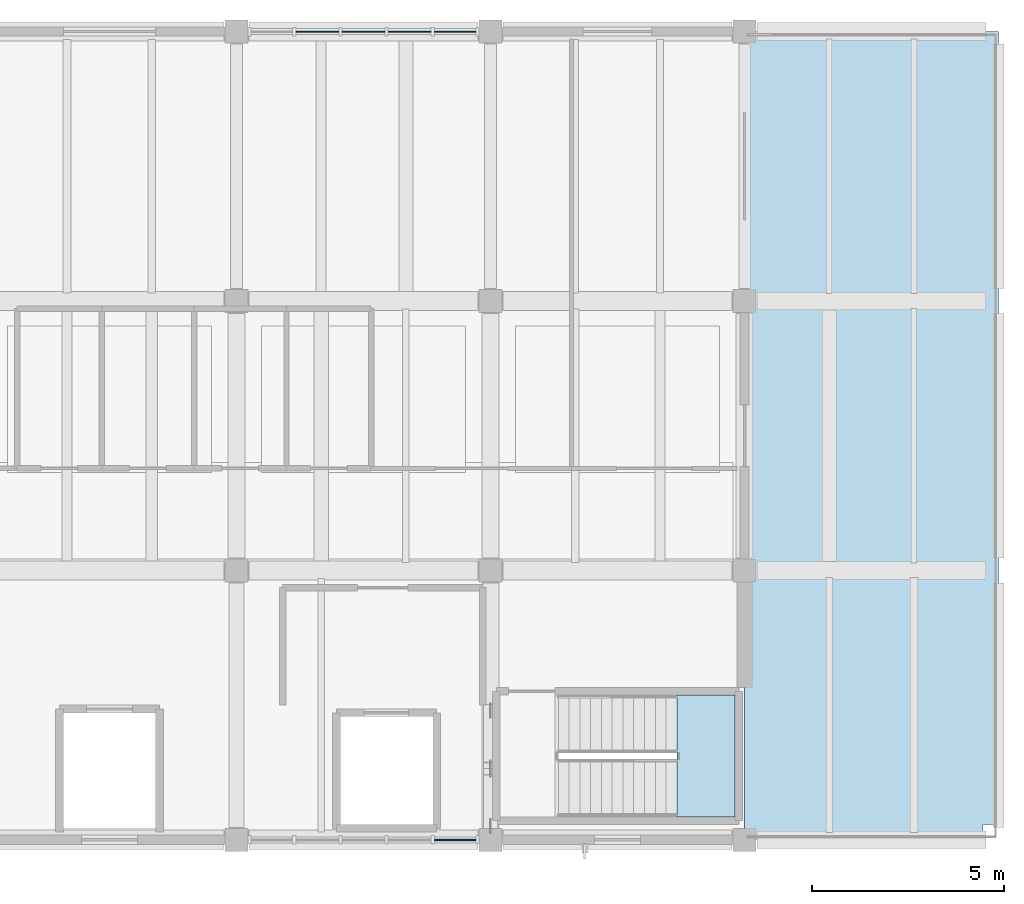
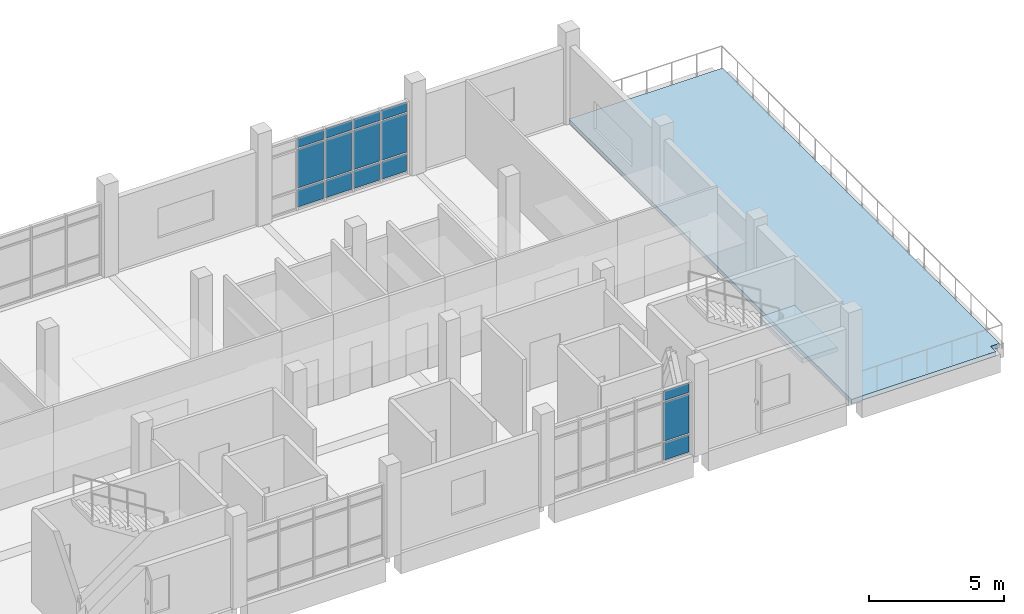
# One storey, part 7 of 14: 15 plates, 2 slabs, 3 elements without a shape of their own.
"""IFC4 building model written with IfcOpenShell, lengths in metres."""

import ifcopenshell
import ifcopenshell.guid

model = None  # the IFC model being written
_history = None  # IfcOwnerHistory: only IFC2X3 demands one
_inside = {}  # id of a spatial element -> (the spatial element, [elements in it])
_under = {}  # id of a project, library or spatial element -> (it, [spatial elements below it])
_declared = {}  # id of a project -> (the project, [libraries it declares])
_typed = {}  # id of a type object -> (the type object, [elements of that type])
_made_of = {}  # id of a material, layer set ... -> (it, [elements and type objects made of it])


def new_model(schema):
    """Start an empty IFC model of exactly this schema.

    Asked for "IFC4X3", IfcOpenShell would pick the latest addendum, in which some entities
    have other attributes; the version numbers below select the first issue.
    IFC2X3 requires an IfcOwnerHistory on every rooted entity: one is made here for all.
    """
    global model, _history
    if schema == "IFC4X3":
        model = ifcopenshell.file(schema_version=(4, 3, 0, 0))
    else:
        model = ifcopenshell.file(schema=schema)
    _inside.clear()
    _under.clear()
    _declared.clear()
    _typed.clear()
    _made_of.clear()
    _history = None
    if model.schema == "IFC2X3":
        org = make("IfcOrganization", Name="unknown")
        user = make(
            "IfcPersonAndOrganization",
            ThePerson=make("IfcPerson", FamilyName="unknown"),
            TheOrganization=org,
        )
        app = make(
            "IfcApplication",
            ApplicationDeveloper=org,
            Version="unknown",
            ApplicationFullName="unknown",
            ApplicationIdentifier="unknown",
        )
        _history = make(
            "IfcOwnerHistory",
            OwningUser=user,
            OwningApplication=app,
            ChangeAction="ADDED",
            CreationDate=0,
        )
    return model


def make(cls, **values):
    """One entity of the class cls with the attributes given. An attribute that is None is left unset."""
    return model.create_entity(
        cls, **{name: value for name, value in values.items() if value is not None}
    )


def rooted(cls, **values):
    """An entity with a GlobalId (a new one), such as an element, a storey or a relation."""
    return make(cls, GlobalId=ifcopenshell.guid.new(), OwnerHistory=_history, **values)


def si_unit(unit_type, name, prefix=None):
    """IfcSIUnit, for example si_unit("LENGTHUNIT", "METRE", prefix="MILLI")."""
    return make("IfcSIUnit", UnitType=unit_type, Prefix=prefix, Name=name)


def assignment(units):
    """IfcUnitAssignment: the units of a project."""
    return None if units is None else make("IfcUnitAssignment", Units=units)


def point(xyz):
    """IfcCartesianPoint."""
    return None if xyz is None else make("IfcCartesianPoint", Coordinates=xyz)


def direction(xyz):
    """IfcDirection."""
    return None if xyz is None else make("IfcDirection", DirectionRatios=xyz)


def frame(location, z_axis=None, x_axis=None):
    """IfcAxis2Placement3D, a coordinate frame: its origin and axes. An axis left out is left unset."""
    return make(
        "IfcAxis2Placement3D",
        Location=point(location),
        Axis=direction(z_axis),
        RefDirection=direction(x_axis),
    )


def frame_2d(location, x_axis=None):
    """IfcAxis2Placement2D, a coordinate frame in the plane: its origin and x axis."""
    return make(
        "IfcAxis2Placement2D", Location=point(location), RefDirection=direction(x_axis)
    )


def origin():
    """The frame at (0, 0, 0) with its axes left unset."""
    return frame((0.0, 0.0, 0.0))


def origin_2d():
    """The frame at (0, 0) in the plane with its x axis left unset."""
    return frame_2d((0.0, 0.0))


def place(relative_to, where):
    """IfcLocalPlacement: puts the frame where relative to a parent placement (None: the world)."""
    return make(
        "IfcLocalPlacement", PlacementRelTo=relative_to, RelativePlacement=where
    )


def context(
    kind, dimensions, precision=None, world=None, true_north=None, identifier=None
):
    """IfcGeometricRepresentationContext, for example the 3D "Model" context."""
    return make(
        "IfcGeometricRepresentationContext",
        ContextIdentifier=identifier,
        ContextType=kind,
        CoordinateSpaceDimension=dimensions,
        Precision=precision,
        WorldCoordinateSystem=world,
        TrueNorth=true_north,
    )


def subcontext(parent, identifier, kind, view, scale=None):
    """IfcGeometricRepresentationSubContext, for example "Body" below "Model"."""
    return make(
        "IfcGeometricRepresentationSubContext",
        ContextIdentifier=identifier,
        ContextType=kind,
        ParentContext=parent,
        TargetScale=scale,
        TargetView=view,
    )


def project(units=None, contexts=None):
    """IfcProject with its units and contexts."""
    return rooted(
        "IfcProject",
        Name="project",
        RepresentationContexts=contexts,
        UnitsInContext=assignment(units),
    )


def spatial(cls, under=None, at=None, **own):
    """A site, building, storey or space (cls), placed at a placement, below another one or the project."""
    s = rooted(cls, ObjectPlacement=at, **own)
    if under is not None:
        _under.setdefault(under.id(), (under, []))[1].append(s)
    return s


def polyline(points):
    """IfcPolyline through the points."""
    return make("IfcPolyline", Points=[point(p) for p in points])


def profile(cls, at=None, kind="AREA", **sizes):
    """A parametric profile (cls). Its sizes go by their IFC names, for example OverallWidth=200.0."""
    return make(cls, ProfileType=kind, Position=at, **sizes)


def rectangle(**sizes):
    """IfcRectangleProfileDef."""
    return profile("IfcRectangleProfileDef", **sizes)


def outline(outer, holes=None, kind="AREA"):
    """IfcArbitraryClosedProfileDef: a profile drawn as a closed curve; with holes, ...WithVoids."""
    if holes is None:
        return make("IfcArbitraryClosedProfileDef", ProfileType=kind, OuterCurve=outer)
    return make(
        "IfcArbitraryProfileDefWithVoids",
        ProfileType=kind,
        OuterCurve=outer,
        InnerCurves=holes,
    )


def extrude(swept, where, along, depth):
    """IfcExtrudedAreaSolid: the profile swept, set in the frame where, extruded along a direction by depth."""
    return make(
        "IfcExtrudedAreaSolid",
        SweptArea=swept,
        Position=where,
        ExtrudedDirection=direction(along),
        Depth=depth,
    )


def shape(context_of_items, identifier, shape_type, items):
    """IfcShapeRepresentation: the items that make up one representation, for example the "Body"."""
    return make(
        "IfcShapeRepresentation",
        ContextOfItems=context_of_items,
        RepresentationIdentifier=identifier,
        RepresentationType=shape_type,
        Items=items,
    )


def material(Name=None, Category=None):
    """IfcMaterial."""
    return make("IfcMaterial", Name=Name, Category=Category)


def layer(
    of_material, thickness, ventilated=None, Name=None, Category=None, Priority=None
):
    """IfcMaterialLayer: one layer of a wall or slab, of a material (None: an air gap)."""
    return make(
        "IfcMaterialLayer",
        Material=of_material,
        LayerThickness=thickness,
        IsVentilated=ventilated,
        Name=Name,
        Category=Category,
        Priority=Priority,
    )


def layer_set(layers, Name=None):
    """IfcMaterialLayerSet."""
    return make("IfcMaterialLayerSet", MaterialLayers=layers, LayerSetName=Name)


def made_of(thing, what):
    """Note that an element or type object is made of a material, layer set ...; save() writes the relation."""
    if what is not None:
        _made_of.setdefault(what.id(), (what, []))[1].append(thing)
    return thing


def type_object(cls, material=None, **own):
    """A type object (cls), such as IfcWallType, which elements share."""
    return made_of(rooted(cls, **own), material)


def element(
    cls,
    number,
    at=None,
    inside=None,
    cuts=None,
    type_object=None,
    material=None,
    context=None,
    identifier="Body",
    shape_type=None,
    held_by="IfcProductDefinitionShape",
    body=None,
    shapes=None,
    **own,
):
    """One element of the class cls, such as IfcWall. Its Tag is "e" and its number.

    at: its placement. inside: the storey or other place that contains it. cuts: it is an
    opening in that element (IfcRelVoidsElement). A single representation is given by context,
    identifier, shape_type and body (its items); several are given by shapes. held_by: the class
    of the entity that holds the representations. save() writes the other relations.
    """
    e = rooted(cls, Tag="e%d" % number, ObjectPlacement=at, **own)
    if body is not None:
        shapes = [shape(context, identifier, shape_type, body)]
    if shapes is not None:
        e.Representation = make(held_by, Representations=shapes)
    if inside is not None:
        _inside.setdefault(inside.id(), (inside, []))[1].append(e)
    if cuts is not None:
        rooted(
            "IfcRelVoidsElement", RelatingBuildingElement=cuts, RelatedOpeningElement=e
        )
    if type_object is not None:
        _typed.setdefault(type_object.id(), (type_object, []))[1].append(e)
    return made_of(e, material)


def aggregate(whole, parts):
    """IfcRelAggregates: a whole, such as a stair, and the parts it consists of."""
    return rooted("IfcRelAggregates", RelatingObject=whole, RelatedObjects=parts)


def save(model, path):
    """Write the relations noted so far, then the file.

    IfcRelAggregates (storeys below a building ...), IfcRelContainedInSpatialStructure (elements
    in a storey), IfcRelDefinesByType, IfcRelAssociatesMaterial and IfcRelDeclares: one each for
    every whole, place, type object, material and project.
    """
    for whole, parts in _under.values():
        aggregate(whole, parts)
    for where, things in _inside.values():
        rooted(
            "IfcRelContainedInSpatialStructure",
            RelatedElements=things,
            RelatingStructure=where,
        )
    for kind, things in _typed.values():
        rooted("IfcRelDefinesByType", RelatedObjects=things, RelatingType=kind)
    for what, things in _made_of.values():
        rooted("IfcRelAssociatesMaterial", RelatedObjects=things, RelatingMaterial=what)
    for by, libraries in _declared.values():
        rooted("IfcRelDeclares", RelatingContext=by, RelatedDefinitions=libraries)
    model.write(path)


model = new_model("IFC4")

# Units and contexts
model_context = context("Model", 3, precision=1e-05, world=origin(), true_north=direction((0.0, 1.0)))
body_context = subcontext(model_context, "Body", "Model", "MODEL_VIEW")
ifc_project = project(units=[si_unit("LENGTHUNIT", "METRE"), si_unit("AREAUNIT", "SQUARE_METRE"), si_unit("VOLUMEUNIT", "CUBIC_METRE"), si_unit("PLANEANGLEUNIT", "RADIAN"), si_unit("MASSUNIT", "GRAM", prefix="KILO")], contexts=[model_context])

# Site, building, storey
site_placement = place(None, origin())
site = spatial("IfcSite", under=ifc_project, at=site_placement, CompositionType="ELEMENT")
building_placement = place(site_placement, origin())
building = spatial("IfcBuilding", under=site, at=building_placement, Name="Ciguamira Faculty of Natural Sciences", CompositionType="ELEMENT")
storey_placement = place(building_placement, frame((0.0, 0.0, 29.39990234375)))
storey = spatial("IfcBuildingStorey", under=building, at=storey_placement, Name="L07", CompositionType="ELEMENT", Elevation=29.39990234375)

# Curtain wall, plates
ifc_material_1 = material(Name="Anodized aluminium curtain wall", Category="aluminium")
curtain_wall_type_1 = type_object("IfcCurtainWallType", Name="CurtainWall_CW-09", PredefinedType="USERDEFINED", material=ifc_material_1)
curtain_wall_1_placement = place(storey_placement, origin())
curtain_wall_1 = element("IfcCurtainWall", 1, at=curtain_wall_1_placement, inside=storey, type_object=curtain_wall_type_1, Name="L07 unitised curtain wall 0153", ObjectType="UNITISED CURTAIN WALL", PredefinedType="USERDEFINED")
ifc_material_2 = material(Name="Low-E laminated solar glass", Category="glass")
ifc_layer_1 = layer(ifc_material_2, 0.028076171875, Name="Low-E laminated solar glass")
ifc_layer_set_1 = layer_set([ifc_layer_1], Name="Low-E laminated solar glass")
plate_type_1 = type_object("IfcPlateType", Name="CWPanel_CWP-01", PredefinedType="CURTAIN_PANEL", material=ifc_layer_set_1)
plate_1_placement = place(storey_placement, frame((92.39990234375, 115.0, 0.080078125), z_axis=(0.0, 0.0, 1.0), x_axis=(1.0, 0.0, 0.0)))
plate_1 = element("IfcPlate", 2, at=plate_1_placement, type_object=plate_type_1, Name="CW-09 panel 2.1", PredefinedType="CURTAIN_PANEL", context=body_context, shape_type="SweptSolid", body=[
    extrude(rectangle(XDim=1.1201171875, YDim=0.028076171875, at=origin_2d()), origin(), (0.0, 0.0, 1.0), 0.780029296875),
])
plate_2_placement = place(storey_placement, frame((92.39990234375, 115.0, 0.940185546875), z_axis=(0.0, 0.0, 1.0), x_axis=(1.0, 0.0, 0.0)))
plate_2 = element("IfcPlate", 3, at=plate_2_placement, type_object=plate_type_1, Name="CW-09 panel 2.2", PredefinedType="CURTAIN_PANEL", context=body_context, shape_type="SweptSolid", body=[
    extrude(rectangle(XDim=1.1201171875, YDim=0.028076171875, at=origin_2d()), origin(), (0.0, 0.0, 1.0), 1.7548828125),
])
plate_3_placement = place(storey_placement, frame((92.39990234375, 115.0, 2.77490234375), z_axis=(0.0, 0.0, 1.0), x_axis=(1.0, 0.0, 0.0)))
plate_3 = element("IfcPlate", 4, at=plate_3_placement, type_object=plate_type_1, Name="CW-09 panel 2.3", PredefinedType="CURTAIN_PANEL", context=body_context, shape_type="SweptSolid", body=[
    extrude(rectangle(XDim=1.1201171875, YDim=0.028076171875, at=origin_2d()), origin(), (0.0, 0.0, 1.0), 0.429931640625),
])
plate_4_placement = place(storey_placement, frame((93.60009765625, 115.0, 0.080078125), z_axis=(0.0, 0.0, 1.0), x_axis=(1.0, 0.0, 0.0)))
plate_4 = element("IfcPlate", 5, at=plate_4_placement, type_object=plate_type_1, Name="CW-09 panel 3.1", PredefinedType="CURTAIN_PANEL", context=body_context, shape_type="SweptSolid", body=[
    extrude(rectangle(XDim=1.1201171875, YDim=0.028076171875, at=origin_2d()), origin(), (0.0, 0.0, 1.0), 0.780029296875),
])
plate_5_placement = place(storey_placement, frame((93.60009765625, 115.0, 0.940185546875), z_axis=(0.0, 0.0, 1.0), x_axis=(1.0, 0.0, 0.0)))
plate_5 = element("IfcPlate", 6, at=plate_5_placement, type_object=plate_type_1, Name="CW-09 panel 3.2", PredefinedType="CURTAIN_PANEL", context=body_context, shape_type="SweptSolid", body=[
    extrude(rectangle(XDim=1.1201171875, YDim=0.028076171875, at=origin_2d()), origin(), (0.0, 0.0, 1.0), 1.7548828125),
])
plate_6_placement = place(storey_placement, frame((93.60009765625, 115.0, 2.77490234375), z_axis=(0.0, 0.0, 1.0), x_axis=(1.0, 0.0, 0.0)))
plate_6 = element("IfcPlate", 7, at=plate_6_placement, type_object=plate_type_1, Name="CW-09 panel 3.3", PredefinedType="CURTAIN_PANEL", context=body_context, shape_type="SweptSolid", body=[
    extrude(rectangle(XDim=1.1201171875, YDim=0.028076171875, at=origin_2d()), origin(), (0.0, 0.0, 1.0), 0.429931640625),
])
plate_7_placement = place(storey_placement, frame((94.800048828125, 115.0, 0.080078125), z_axis=(0.0, 0.0, 1.0), x_axis=(1.0, 0.0, 0.0)))
plate_7 = element("IfcPlate", 8, at=plate_7_placement, type_object=plate_type_1, Name="CW-09 panel 4.1", PredefinedType="CURTAIN_PANEL", context=body_context, shape_type="SweptSolid", body=[
    extrude(rectangle(XDim=1.1201171875, YDim=0.028076171875, at=origin_2d()), origin(), (0.0, 0.0, 1.0), 0.780029296875),
])
plate_8_placement = place(storey_placement, frame((94.800048828125, 115.0, 0.940185546875), z_axis=(0.0, 0.0, 1.0), x_axis=(1.0, 0.0, 0.0)))
plate_8 = element("IfcPlate", 9, at=plate_8_placement, type_object=plate_type_1, Name="CW-09 panel 4.2", PredefinedType="CURTAIN_PANEL", context=body_context, shape_type="SweptSolid", body=[
    extrude(rectangle(XDim=1.1201171875, YDim=0.028076171875, at=origin_2d()), origin(), (0.0, 0.0, 1.0), 1.7548828125),
])
plate_9_placement = place(storey_placement, frame((94.800048828125, 115.0, 2.77490234375), z_axis=(0.0, 0.0, 1.0), x_axis=(1.0, 0.0, 0.0)))
plate_9 = element("IfcPlate", 10, at=plate_9_placement, type_object=plate_type_1, Name="CW-09 panel 4.3", PredefinedType="CURTAIN_PANEL", context=body_context, shape_type="SweptSolid", body=[
    extrude(rectangle(XDim=1.1201171875, YDim=0.028076171875, at=origin_2d()), origin(), (0.0, 0.0, 1.0), 0.429931640625),
])
plate_10_placement = place(storey_placement, frame((95.97998046875, 115.0, 0.080078125), z_axis=(0.0, 0.0, 1.0), x_axis=(1.0, 0.0, 0.0)))
plate_10 = element("IfcPlate", 11, at=plate_10_placement, type_object=plate_type_1, Name="CW-09 panel 5.1", PredefinedType="CURTAIN_PANEL", context=body_context, shape_type="SweptSolid", body=[
    extrude(rectangle(XDim=1.080078125, YDim=0.028076171875, at=origin_2d()), origin(), (0.0, 0.0, 1.0), 0.780029296875),
])
plate_11_placement = place(storey_placement, frame((95.97998046875, 115.0, 0.940185546875), z_axis=(0.0, 0.0, 1.0), x_axis=(1.0, 0.0, 0.0)))
plate_11 = element("IfcPlate", 12, at=plate_11_placement, type_object=plate_type_1, Name="CW-09 panel 5.2", PredefinedType="CURTAIN_PANEL", context=body_context, shape_type="SweptSolid", body=[
    extrude(rectangle(XDim=1.080078125, YDim=0.028076171875, at=origin_2d()), origin(), (0.0, 0.0, 1.0), 1.7548828125),
])
plate_12_placement = place(storey_placement, frame((95.97998046875, 115.0, 2.77490234375), z_axis=(0.0, 0.0, 1.0), x_axis=(1.0, 0.0, 0.0)))
plate_12 = element("IfcPlate", 13, at=plate_12_placement, type_object=plate_type_1, Name="CW-09 panel 5.3", PredefinedType="CURTAIN_PANEL", context=body_context, shape_type="SweptSolid", body=[
    extrude(rectangle(XDim=1.080078125, YDim=0.028076171875, at=origin_2d()), origin(), (0.0, 0.0, 1.0), 0.429931640625),
])
aggregate(curtain_wall_1, [plate_1, plate_2, plate_3, plate_4, plate_5, plate_6, plate_7, plate_8, plate_9, plate_10, plate_11, plate_12])

curtain_wall_type_2 = type_object("IfcCurtainWallType", Name="CurtainWall_CW-06", PredefinedType="USERDEFINED", material=ifc_material_1)
curtain_wall_2_placement = place(storey_placement, origin())
curtain_wall_2 = element("IfcCurtainWall", 14, at=curtain_wall_2_placement, inside=storey, type_object=curtain_wall_type_2, Name="L07 unitised curtain wall 0150", ObjectType="UNITISED CURTAIN WALL", PredefinedType="USERDEFINED")
ifc_layer_2 = layer(ifc_material_2, 0.035888671875, Name="Low-E laminated solar glass")
ifc_layer_set_2 = layer_set([ifc_layer_2], Name="Low-E laminated solar glass")
plate_type_2 = type_object("IfcPlateType", Name="CWPanel_CWP-02", PredefinedType="CURTAIN_PANEL", material=ifc_layer_set_2)
plate_13_placement = place(storey_placement, frame((95.97998046875, 94.0, 0.080078125), z_axis=(0.0, 0.0, 1.0), x_axis=(1.0, 0.0, 0.0)))
plate_13 = element("IfcPlate", 15, at=plate_13_placement, type_object=plate_type_2, Name="CW-06 panel 5.1", PredefinedType="CURTAIN_PANEL", context=body_context, shape_type="SweptSolid", body=[
    extrude(rectangle(XDim=1.080078125, YDim=0.035888671875, at=origin_2d()), origin(), (0.0, 0.0, 1.0), 0.780029296875),
])
plate_14_placement = place(storey_placement, frame((95.97998046875, 94.0, 0.940185546875), z_axis=(0.0, 0.0, 1.0), x_axis=(1.0, 0.0, 0.0)))
plate_14 = element("IfcPlate", 16, at=plate_14_placement, type_object=plate_type_2, Name="CW-06 panel 5.2", PredefinedType="CURTAIN_PANEL", context=body_context, shape_type="SweptSolid", body=[
    extrude(rectangle(XDim=1.080078125, YDim=0.035888671875, at=origin_2d()), origin(), (0.0, 0.0, 1.0), 1.7548828125),
])
plate_15_placement = place(storey_placement, frame((95.97998046875, 94.0, 2.77490234375), z_axis=(0.0, 0.0, 1.0), x_axis=(1.0, 0.0, 0.0)))
plate_15 = element("IfcPlate", 17, at=plate_15_placement, type_object=plate_type_2, Name="CW-06 panel 5.3", PredefinedType="CURTAIN_PANEL", context=body_context, shape_type="SweptSolid", body=[
    extrude(rectangle(XDim=1.080078125, YDim=0.035888671875, at=origin_2d()), origin(), (0.0, 0.0, 1.0), 0.429931640625),
])
aggregate(curtain_wall_2, [plate_13, plate_14, plate_15])

# Slab
ifc_material_3 = material(Name="Concrete C40/50", Category="concrete")
ifc_layer_3 = layer(ifc_material_3, 0.199951171875, Name="Concrete C40/50")
ifc_layer_set_3 = layer_set([ifc_layer_3], Name="Concrete C40/50")
slab_type_1 = type_object("IfcSlabType", Name="Slab_ST-01_200", PredefinedType="FLOOR", material=ifc_layer_set_3)
slab_1_placement = place(storey_placement, frame((0.0, 0.0, -0.199951171875)))
element("IfcSlab", 18, at=slab_1_placement, inside=storey, type_object=slab_type_1, Name="L07 Windward Caribbean Loggia Terrace", PredefinedType="FLOOR", context=body_context, shape_type="SweptSolid", body=[
    extrude(outline(polyline([(103.5, 94.0), (109.699951171875, 94.0), (109.699951171875, 94.39990234375), (110.10009765625, 94.39990234375), (110.10009765625, 115.0), (103.5, 115.0), (103.5, 94.0)])), origin(), (0.0, 0.0, 1.0), 0.199951171875),
])

# Stair, slab
stair_type = type_object("IfcStairType", Name="Stair_STR-02", PredefinedType="HALF_TURN_STAIR", material=ifc_material_3)
stair_placement = place(storey_placement, origin())
stair = element("IfcStair", 19, at=stair_placement, inside=storey, type_object=stair_type, Name="L07 Tower East Exit Stair", PredefinedType="HALF_TURN_STAIR")
ifc_layer_4 = layer(ifc_material_3, 0.199951171875, Name="Concrete C40/50")
ifc_layer_set_4 = layer_set([ifc_layer_4], Name="Concrete C40/50")
slab_type_2 = type_object("IfcSlabType", Name="StairLanding_SLD01", PredefinedType="LANDING", material=ifc_layer_set_4)
slab_2_placement = place(storey_placement, frame((0.0, 0.0, 1.900146484375)))
slab_2 = element("IfcSlab", 20, at=slab_2_placement, type_object=slab_type_2, Name="ST-T2 landing 1", PredefinedType="LANDING", context=body_context, shape_type="SweptSolid", body=[
    extrude(outline(polyline([(101.739990234375, 94.60009765625), (103.25, 94.60009765625), (103.25, 97.760009765625), (101.739990234375, 97.760009765625), (101.739990234375, 94.60009765625)])), origin(), (0.0, 0.0, 1.0), 0.199951171875),
])
aggregate(stair, [slab_2])

save(model, "model.ifc")
